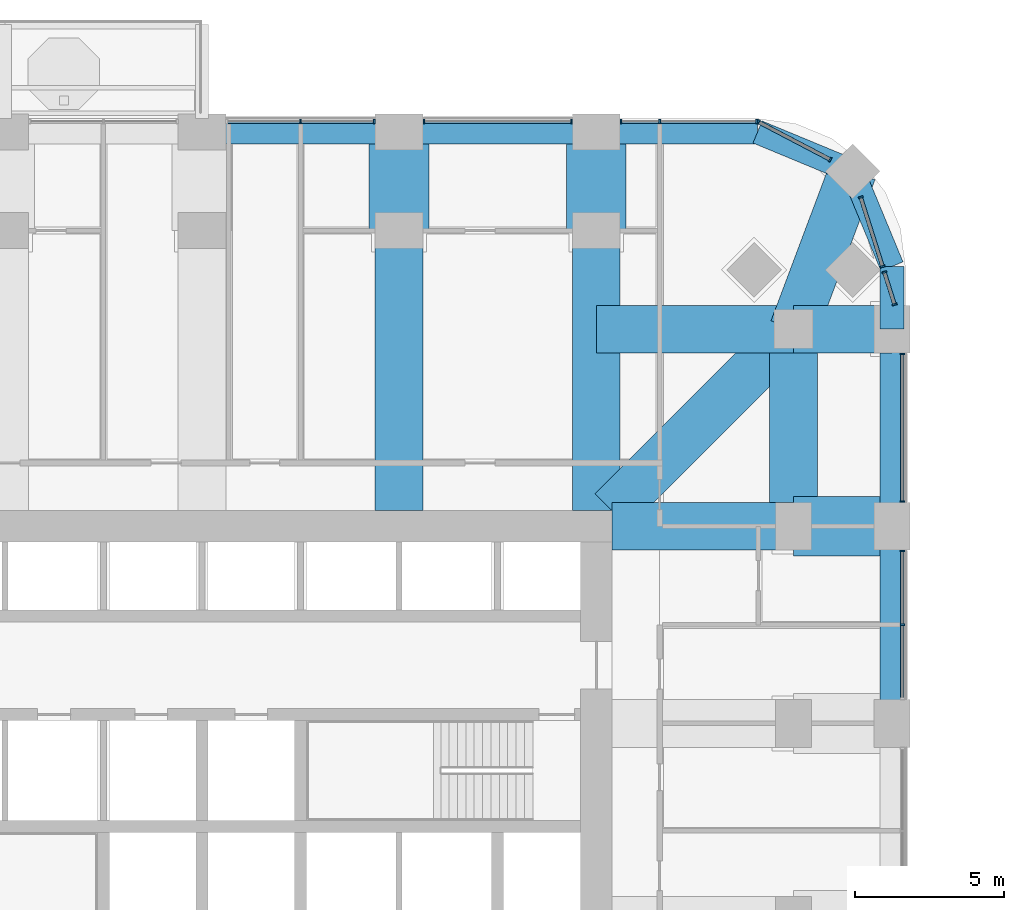
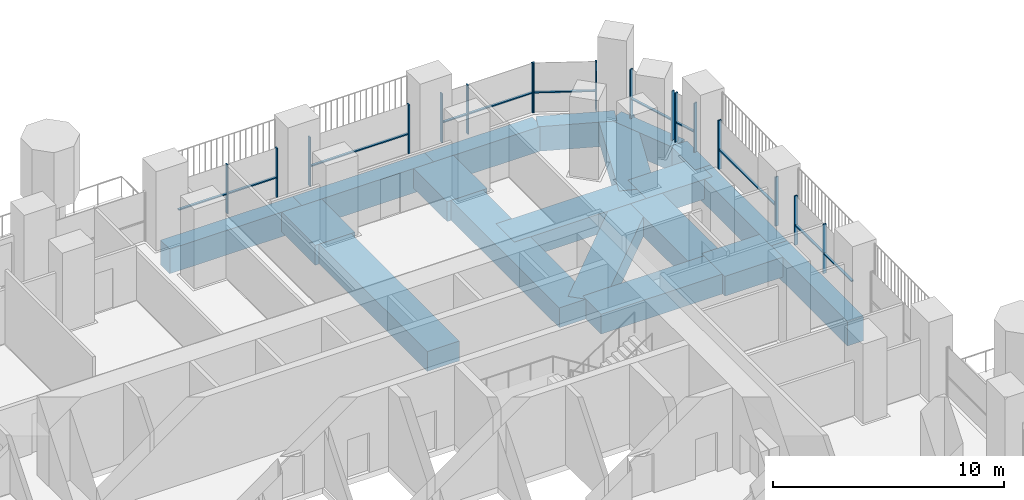
# One storey, part 7 of 21: 28 members, 19 beams, 8 elements without a shape of their own.
"""IFC4 building model written with IfcOpenShell, lengths in metres."""

from ifc_helpers import new_model, si_unit, direction, frame, origin, origin_2d, place, context, subcontext, project, spatial, rectangle, extrude, material, material_profile, profile_set, type_object, element, aggregate, save


model = new_model("IFC4")

# Units and contexts
model_context = context("Model", 3, precision=1e-05, world=origin(), true_north=direction((0.0, 1.0)))
body_context = subcontext(model_context, "Body", "Model", "MODEL_VIEW")
ifc_project = project(units=[si_unit("LENGTHUNIT", "METRE"), si_unit("AREAUNIT", "SQUARE_METRE"), si_unit("VOLUMEUNIT", "CUBIC_METRE"), si_unit("PLANEANGLEUNIT", "RADIAN"), si_unit("MASSUNIT", "GRAM", prefix="KILO")], contexts=[model_context])

# Site, building, storey
site_placement = place(None, origin())
site = spatial("IfcSite", under=ifc_project, at=site_placement, CompositionType="ELEMENT")
building_placement = place(site_placement, origin())
building = spatial("IfcBuilding", under=site, at=building_placement, Name="Cobogo Forest Laboratory Tower", CompositionType="ELEMENT")
storey_placement = place(building_placement, frame((0.0, 0.0, 141.0)))
storey = spatial("IfcBuildingStorey", under=building, at=storey_placement, Name="L32", CompositionType="ELEMENT", Elevation=141.0)

# Beams
ifc_material_1 = material(Name="Concrete HA-50 (C50/60)", Category="concrete")
ifc_material_profile_1 = material_profile(ifc_material_1, rectangle(XDim=2.0, YDim=1.050048828125, at=origin_2d()), Name="RC 2000x1050")
ifc_profile_set_1 = profile_set([ifc_material_profile_1], Name="Concrete HA-50 (C50/60)")
beam_type_1 = type_object("IfcBeamType", Name="End-bay wide beam 2000x1050", PredefinedType="BEAM", material=ifc_profile_set_1)
for number, where, z_axis, x_axis, name in (
    (1, (33.0, 46.199951171875, -0.824951171875), (0.0, -1.0, 0.0), (1.0, 0.0, 0.0), "RB7 R-6-N-X L32"),
    (2, (39.60009765625, 46.199951171875, -0.824951171875), (0.0, -1.0, 0.0), (1.0, 0.0, 0.0), "RB7 R-7-N-X L32"),
    (3, (49.5, 33.0, -0.824951171875), (-1.0, 0.0, 0.0), (0.0, -1.0, 0.0), "RB7 R-F-E-X L32"),
):
    element("IfcBeam", number, at=place(storey_placement, frame(where, z_axis=z_axis, x_axis=x_axis)), inside=storey, type_object=beam_type_1, Name=name, PredefinedType="BEAM", context=body_context, shape_type="SweptSolid", body=[
        extrude(rectangle(XDim=2.0, YDim=1.050048828125, at=origin_2d()), origin(), (0.0, 0.0, 1.0), 3.300048828125),
    ])
ifc_material_profile_2 = material_profile(ifc_material_1, rectangle(XDim=1.60009765625, YDim=1.050048828125, at=origin_2d()), Name="RC 1600x1050")
ifc_profile_set_2 = profile_set([ifc_material_profile_2], Name="Concrete HA-50 (C50/60)")
beam_type_2 = type_object("IfcBeamType", Name="Laboratory floor wide beam 1600x1050", PredefinedType="BEAM", material=ifc_profile_set_2)
for number, where, z_axis, x_axis, name in (
    (4, (33.0, 33.52490234375, -0.824951171875), (0.0, 1.0, 0.0), (-1.0, 0.0, 0.0), "RB8 R-6-N L32"),
    (5, (39.60009765625, 33.52490234375, -0.824951171875), (0.0, 1.0, 0.0), (-1.0, 0.0, 0.0), "RB8 R-7-N L32"),
):
    element("IfcBeam", number, at=place(storey_placement, frame(where, z_axis=z_axis, x_axis=x_axis)), inside=storey, type_object=beam_type_2, Name=name, PredefinedType="BEAM", context=body_context, shape_type="SweptSolid", body=[
        extrude(rectangle(XDim=1.60009765625, YDim=1.050048828125, at=origin_2d()), origin(), (0.0, 0.0, 1.0), 9.375),
    ])
beam_1_placement = place(storey_placement, frame((40.125, 33.0, -0.824951171875), z_axis=(1.0, 0.0, 0.0), x_axis=(0.0, 1.0, 0.0)))
element("IfcBeam", 6, at=beam_1_placement, inside=storey, type_object=beam_type_2, Name="RB8 R-F-E L32", PredefinedType="BEAM", context=body_context, shape_type="SweptSolid", body=[
    extrude(rectangle(XDim=1.60009765625, YDim=1.050048828125, at=origin_2d()), origin(), (0.0, 0.0, 1.0), 6.074951171875),
])
beam_2_placement = place(storey_placement, frame((46.199951171875, 39.60009765625, -0.824951171875), z_axis=(0.0, -1.0, 0.0), x_axis=(1.0, 0.0, 0.0)))
element("IfcBeam", 7, at=beam_2_placement, inside=storey, type_object=beam_type_2, Name="RB8 G-NE-XC L32", PredefinedType="BEAM", context=body_context, shape_type="SweptSolid", body=[
    extrude(rectangle(XDim=1.60009765625, YDim=1.050048828125, at=origin_2d()), origin(), (0.0, 0.0, 1.0), 6.60009765625),
])
beam_3_placement = place(storey_placement, frame((49.5, 39.60009765625, -0.824951171875), z_axis=(-1.0, 0.0, 0.0), x_axis=(0.0, -1.0, 0.0)))
element("IfcBeam", 8, at=beam_3_placement, inside=storey, type_object=beam_type_2, Name="RB8 G-NE-YF L32", PredefinedType="BEAM", context=body_context, shape_type="SweptSolid", body=[
    extrude(rectangle(XDim=1.60009765625, YDim=1.050048828125, at=origin_2d()), origin(), (0.0, 0.0, 1.0), 3.300048828125),
])
beam_4_placement = place(storey_placement, frame((46.199951171875, 39.60009765625, -0.824951171875), z_axis=(-1.0, 0.0, 0.0), x_axis=(0.0, -1.0, 0.0)))
element("IfcBeam", 9, at=beam_4_placement, inside=storey, type_object=beam_type_2, Name="RB8 G-NE-YC L32", PredefinedType="BEAM", context=body_context, shape_type="SweptSolid", body=[
    extrude(rectangle(XDim=1.60009765625, YDim=1.050048828125, at=origin_2d()), origin(), (0.0, 0.0, 1.0), 6.599853515625),
])
beam_5_placement = place(storey_placement, frame((48.181884765625, 44.882080078125, -0.824951171875), z_axis=(-0.351308391925, -0.936259800356, 0.0), x_axis=(0.936259800356, -0.351308391925, 0.0)))
element("IfcBeam", 10, at=beam_5_placement, inside=storey, type_object=beam_type_2, Name="RB8 G-NE-D1 L32", PredefinedType="BEAM", context=body_context, shape_type="SweptSolid", body=[
    extrude(rectangle(XDim=1.60009765625, YDim=1.050048828125, at=origin_2d()), origin(), (0.0, 0.0, 1.0), 5.6416015625),
])
beam_6_placement = place(storey_placement, frame((46.199951171875, 39.60009765625, -0.824951171875), z_axis=(-0.707092572697, -0.70712098939, 0.0), x_axis=(0.70712098939, -0.707092572697, 0.0)))
element("IfcBeam", 11, at=beam_6_placement, inside=storey, type_object=beam_type_2, Name="RB8 G-NE-D2 L32", PredefinedType="BEAM", context=body_context, shape_type="SweptSolid", body=[
    extrude(rectangle(XDim=1.60009765625, YDim=1.050048828125, at=origin_2d()), origin(), (0.0, 0.0, 1.0), 8.591552734375),
])

# Curtain wall, members
ifc_material_2 = material(Name="Aluminium curtain wall", Category="aluminium")
curtain_wall_type = type_object("IfcCurtainWallType", Name="CW-1 unitised curtain wall, clear glazing, laboratory floors zones A and B", PredefinedType="USERDEFINED", material=ifc_material_2)
curtain_wall_1_placement = place(storey_placement, origin())
curtain_wall_1 = element("IfcCurtainWall", 12, at=curtain_wall_1_placement, inside=storey, type_object=curtain_wall_type, Name="Curtain wall 13 L32", ObjectType="UNITISED CURTAIN WALL", PredefinedType="USERDEFINED")
ifc_material_3 = material(Name="Aluminium mullion", Category="aluminium")
ifc_material_profile_3 = material_profile(ifc_material_3, rectangle(XDim=0.06005859375, YDim=0.159912109375, at=origin_2d()), Name="AL 60x160")
ifc_profile_set_3 = profile_set([ifc_material_profile_3], Name="Aluminium mullion")
member_type_1 = type_object("IfcMemberType", Name="MU-1 aluminium mullion 60x160", PredefinedType="MULLION", material=ifc_profile_set_3)
member_1_placement = place(storey_placement, frame((49.85009765625, 29.699951171875, 0.0), z_axis=(0.0, 0.0, 1.0), x_axis=(0.0, 1.0, 0.0)))
member_1 = element("IfcMember", 13, at=member_1_placement, type_object=member_type_1, Name="CW-1 mullion 2", PredefinedType="MULLION", context=body_context, shape_type="SweptSolid", body=[
    extrude(rectangle(XDim=0.06005859375, YDim=0.159912109375, at=origin_2d()), origin(), (0.0, 0.0, 1.0), 2.60009765625),
])
member_2_placement = place(storey_placement, frame((49.85009765625, 32.169921875, 0.0), z_axis=(0.0, 0.0, 1.0), x_axis=(0.0, 1.0, 0.0)))
member_2 = element("IfcMember", 14, at=member_2_placement, type_object=member_type_1, Name="CW-1 mullion 3", PredefinedType="MULLION", context=body_context, shape_type="SweptSolid", body=[
    extrude(rectangle(XDim=0.06005859375, YDim=0.159912109375, at=origin_2d()), origin(), (0.0, 0.0, 1.0), 2.60009765625),
])

curtain_wall_2_placement = place(storey_placement, origin())
curtain_wall_2 = element("IfcCurtainWall", 15, at=curtain_wall_2_placement, inside=storey, type_object=curtain_wall_type, Name="Curtain wall 14 L32", ObjectType="UNITISED CURTAIN WALL", PredefinedType="USERDEFINED")
member_3_placement = place(storey_placement, frame((49.85009765625, 33.830078125, 0.0), z_axis=(0.0, 0.0, 1.0), x_axis=(0.0, 1.0, 0.0)))
member_3 = element("IfcMember", 16, at=member_3_placement, type_object=member_type_1, Name="CW-1 mullion 1", PredefinedType="MULLION", context=body_context, shape_type="SweptSolid", body=[
    extrude(rectangle(XDim=0.06005859375, YDim=0.159912109375, at=origin_2d()), origin(), (0.0, 0.0, 1.0), 2.60009765625),
])
member_4_placement = place(storey_placement, frame((49.85009765625, 38.77001953125, 0.0), z_axis=(0.0, 0.0, 1.0), x_axis=(0.0, 1.0, 0.0)))
member_4 = element("IfcMember", 17, at=member_4_placement, type_object=member_type_1, Name="CW-1 mullion 2", PredefinedType="MULLION", context=body_context, shape_type="SweptSolid", body=[
    extrude(rectangle(XDim=0.06005859375, YDim=0.159912109375, at=origin_2d()), origin(), (0.0, 0.0, 1.0), 2.60009765625),
])

curtain_wall_3_placement = place(storey_placement, origin())
curtain_wall_3 = element("IfcCurtainWall", 18, at=curtain_wall_3_placement, inside=storey, type_object=curtain_wall_type, Name="Curtain wall 15 L32", ObjectType="UNITISED CURTAIN WALL", PredefinedType="USERDEFINED")
member_5_placement = place(storey_placement, frame((49.58837890625, 40.4287109375, 0.0), z_axis=(0.0, 0.0, 1.0), x_axis=(-0.301135667865, 0.953581307252, 0.0)))
member_5 = element("IfcMember", 19, at=member_5_placement, type_object=member_type_1, Name="CW-1 mullion 1", PredefinedType="MULLION", context=body_context, shape_type="SweptSolid", body=[
    extrude(rectangle(XDim=0.06005859375, YDim=0.159912109375, at=origin_2d()), origin(), (0.0, 0.0, 1.0), 2.60009765625),
])
member_6_placement = place(storey_placement, frame((49.247802734375, 41.507080078125, 0.0), z_axis=(0.0, 0.0, 1.0), x_axis=(-0.301135667865, 0.953581307252, 0.0)))
member_6 = element("IfcMember", 20, at=member_6_placement, type_object=member_type_1, Name="CW-1 mullion 2", PredefinedType="MULLION", context=body_context, shape_type="SweptSolid", body=[
    extrude(rectangle(XDim=0.06005859375, YDim=0.159912109375, at=origin_2d()), origin(), (0.0, 0.0, 1.0), 2.60009765625),
])

curtain_wall_4_placement = place(storey_placement, origin())
curtain_wall_4 = element("IfcCurtainWall", 21, at=curtain_wall_4_placement, inside=storey, type_object=curtain_wall_type, Name="Curtain wall 16 L32", ObjectType="UNITISED CURTAIN WALL", PredefinedType="USERDEFINED")
member_7_placement = place(storey_placement, frame((49.18701171875, 41.69970703125, 0.0), z_axis=(0.0, 0.0, 1.0), x_axis=(-0.301135291996, 0.953581425949, 0.0)))
member_7 = element("IfcMember", 22, at=member_7_placement, type_object=member_type_1, Name="CW-1 mullion 1", PredefinedType="MULLION", context=body_context, shape_type="SweptSolid", body=[
    extrude(rectangle(XDim=0.06005859375, YDim=0.159912109375, at=origin_2d()), origin(), (0.0, 0.0, 1.0), 2.60009765625),
])
member_8_placement = place(storey_placement, frame((48.455810546875, 44.01513671875, 0.0), z_axis=(0.0, 0.0, 1.0), x_axis=(-0.301135291996, 0.953581425949, 0.0)))
member_8 = element("IfcMember", 23, at=member_8_placement, type_object=member_type_1, Name="CW-1 mullion 2", PredefinedType="MULLION", context=body_context, shape_type="SweptSolid", body=[
    extrude(rectangle(XDim=0.06005859375, YDim=0.159912109375, at=origin_2d()), origin(), (0.0, 0.0, 1.0), 2.60009765625),
])

curtain_wall_5_placement = place(storey_placement, origin())
curtain_wall_5 = element("IfcCurtainWall", 24, at=curtain_wall_5_placement, inside=storey, type_object=curtain_wall_type, Name="Curtain wall 17 L32", ObjectType="UNITISED CURTAIN WALL", PredefinedType="USERDEFINED")
member_9_placement = place(storey_placement, frame((47.431640625, 45.275390625, 0.0), z_axis=(0.0, 0.0, 1.0), x_axis=(-0.885686547075, 0.464283685186, 0.0)))
member_9 = element("IfcMember", 25, at=member_9_placement, type_object=member_type_1, Name="CW-1 mullion 1", PredefinedType="MULLION", context=body_context, shape_type="SweptSolid", body=[
    extrude(rectangle(XDim=0.06005859375, YDim=0.159912109375, at=origin_2d()), origin(), (0.0, 0.0, 1.0), 2.60009765625),
])
member_10_placement = place(storey_placement, frame((45.026611328125, 46.5361328125, 0.0), z_axis=(0.0, 0.0, 1.0), x_axis=(-0.885686547075, 0.464283685186, 0.0)))
member_10 = element("IfcMember", 26, at=member_10_placement, type_object=member_type_1, Name="CW-1 mullion 2", PredefinedType="MULLION", context=body_context, shape_type="SweptSolid", body=[
    extrude(rectangle(XDim=0.06005859375, YDim=0.159912109375, at=origin_2d()), origin(), (0.0, 0.0, 1.0), 2.60009765625),
])

curtain_wall_6_placement = place(storey_placement, origin())
curtain_wall_6 = element("IfcCurtainWall", 27, at=curtain_wall_6_placement, inside=storey, type_object=curtain_wall_type, Name="Curtain wall 18 L32", ObjectType="UNITISED CURTAIN WALL", PredefinedType="USERDEFINED")
member_11_placement = place(storey_placement, frame((44.969970703125, 46.550048828125, 0.0), z_axis=(0.0, 0.0, 1.0), x_axis=(-1.0, 0.0, 0.0)))
member_11 = element("IfcMember", 28, at=member_11_placement, type_object=member_type_1, Name="CW-1 mullion 1", PredefinedType="MULLION", context=body_context, shape_type="SweptSolid", body=[
    extrude(rectangle(XDim=0.06005859375, YDim=0.159912109375, at=origin_2d()), origin(), (0.0, 0.0, 1.0), 2.60009765625),
])
member_12_placement = place(storey_placement, frame((41.72509765625, 46.550048828125, 0.0), z_axis=(0.0, 0.0, 1.0), x_axis=(-1.0, 0.0, 0.0)))
member_12 = element("IfcMember", 29, at=member_12_placement, type_object=member_type_1, Name="CW-1 mullion 2", PredefinedType="MULLION", context=body_context, shape_type="SweptSolid", body=[
    extrude(rectangle(XDim=0.06005859375, YDim=0.159912109375, at=origin_2d()), origin(), (0.0, 0.0, 1.0), 2.60009765625),
])
member_13_placement = place(storey_placement, frame((40.429931640625, 46.550048828125, 0.0), z_axis=(0.0, 0.0, 1.0), x_axis=(-1.0, 0.0, 0.0)))
member_13 = element("IfcMember", 30, at=member_13_placement, type_object=member_type_1, Name="CW-1 mullion 3", PredefinedType="MULLION", context=body_context, shape_type="SweptSolid", body=[
    extrude(rectangle(XDim=0.06005859375, YDim=0.159912109375, at=origin_2d()), origin(), (0.0, 0.0, 1.0), 2.60009765625),
])

curtain_wall_7_placement = place(storey_placement, origin())
curtain_wall_7 = element("IfcCurtainWall", 31, at=curtain_wall_7_placement, inside=storey, type_object=curtain_wall_type, Name="Curtain wall 19 L32", ObjectType="UNITISED CURTAIN WALL", PredefinedType="USERDEFINED")
member_14_placement = place(storey_placement, frame((38.77001953125, 46.550048828125, 0.0), z_axis=(0.0, 0.0, 1.0), x_axis=(-1.0, 0.0, 0.0)))
member_14 = element("IfcMember", 32, at=member_14_placement, type_object=member_type_1, Name="CW-1 mullion 1", PredefinedType="MULLION", context=body_context, shape_type="SweptSolid", body=[
    extrude(rectangle(XDim=0.06005859375, YDim=0.159912109375, at=origin_2d()), origin(), (0.0, 0.0, 1.0), 2.60009765625),
])
member_15_placement = place(storey_placement, frame((33.830078125, 46.550048828125, 0.0), z_axis=(0.0, 0.0, 1.0), x_axis=(-1.0, 0.0, 0.0)))
member_15 = element("IfcMember", 33, at=member_15_placement, type_object=member_type_1, Name="CW-1 mullion 2", PredefinedType="MULLION", context=body_context, shape_type="SweptSolid", body=[
    extrude(rectangle(XDim=0.06005859375, YDim=0.159912109375, at=origin_2d()), origin(), (0.0, 0.0, 1.0), 2.60009765625),
])

curtain_wall_8_placement = place(storey_placement, origin())
curtain_wall_8 = element("IfcCurtainWall", 34, at=curtain_wall_8_placement, inside=storey, type_object=curtain_wall_type, Name="Curtain wall 20 L32", ObjectType="UNITISED CURTAIN WALL", PredefinedType="USERDEFINED")
member_16_placement = place(storey_placement, frame((32.169921875, 46.550048828125, 0.0), z_axis=(0.0, 0.0, 1.0), x_axis=(-1.0, 0.0, 0.0)))
member_16 = element("IfcMember", 35, at=member_16_placement, type_object=member_type_1, Name="CW-1 mullion 1", PredefinedType="MULLION", context=body_context, shape_type="SweptSolid", body=[
    extrude(rectangle(XDim=0.06005859375, YDim=0.159912109375, at=origin_2d()), origin(), (0.0, 0.0, 1.0), 2.60009765625),
])
member_17_placement = place(storey_placement, frame((29.699951171875, 46.550048828125, 0.0), z_axis=(0.0, 0.0, 1.0), x_axis=(-1.0, 0.0, 0.0)))
member_17 = element("IfcMember", 36, at=member_17_placement, type_object=member_type_1, Name="CW-1 mullion 2", PredefinedType="MULLION", context=body_context, shape_type="SweptSolid", body=[
    extrude(rectangle(XDim=0.06005859375, YDim=0.159912109375, at=origin_2d()), origin(), (0.0, 0.0, 1.0), 2.60009765625),
])

# Beams
ifc_material_4 = material(Name="Concrete HA-40 (C40/50)", Category="concrete")
ifc_material_profile_4 = material_profile(ifc_material_4, rectangle(XDim=0.800048828125, YDim=1.300048828125, at=origin_2d()), Name="RC 800x1300")
ifc_profile_set_4 = profile_set([ifc_material_profile_4], Name="Concrete HA-40 (C40/50)")
beam_type_3 = type_object("IfcBeamType", Name="Perimeter edge beam 800x1300", PredefinedType="BEAM", material=ifc_profile_set_4)
for number, where, z_axis, x_axis, name in (
    (37, (49.5, 26.39990234375, -0.949951171875), (0.0, 1.0, 0.0), (-1.0, 0.0, 0.0), "EB2 E-E4 L32"),
    (38, (49.5, 33.0, -0.949951171875), (0.0, 1.0, 0.0), (-1.0, 0.0, 0.0), "EB2 E-E5 L32"),
    (39, (26.39990234375, 46.199951171875, -0.949951171875), (1.0, 0.0, 0.0), (0.0, 1.0, 0.0), "EB2 E-N3 L32"),
    (40, (33.0, 46.199951171875, -0.949951171875), (1.0, 0.0, 0.0), (0.0, 1.0, 0.0), "EB2 E-N4 L32"),
):
    element("IfcBeam", number, at=place(storey_placement, frame(where, z_axis=z_axis, x_axis=x_axis)), inside=storey, type_object=beam_type_3, Name=name, PredefinedType="BEAM", context=body_context, shape_type="SweptSolid", body=[
        extrude(rectangle(XDim=0.800048828125, YDim=1.300048828125, at=origin_2d()), origin(), (0.0, 0.0, 1.0), 6.60009765625),
    ])
beam_7_placement = place(storey_placement, frame((49.5, 39.60009765625, -0.949951171875), z_axis=(0.0, 1.0, 0.0), x_axis=(-1.0, 0.0, 0.0)))
element("IfcBeam", 41, at=beam_7_placement, inside=storey, type_object=beam_type_3, Name="EB2 E-NEE1 L32", PredefinedType="BEAM", context=body_context, shape_type="SweptSolid", body=[
    extrude(rectangle(XDim=0.800048828125, YDim=1.300048828125, at=origin_2d()), origin(), (0.0, 0.0, 1.0), 2.099853515625),
])
beam_8_placement = place(storey_placement, frame((49.5, 41.699951171875, -0.949951171875), z_axis=(-0.382691928466, 0.923876013265, 0.0), x_axis=(-0.923876013265, -0.382691928466, 0.0)))
element("IfcBeam", 42, at=beam_8_placement, inside=storey, type_object=beam_type_3, Name="EB2 E-NEE2 L32", PredefinedType="BEAM", context=body_context, shape_type="SweptSolid", body=[
    extrude(rectangle(XDim=0.800048828125, YDim=1.300048828125, at=origin_2d()), origin(), (0.0, 0.0, 1.0), 3.4443359375),
])
beam_9_placement = place(storey_placement, frame((39.60009765625, 46.199951171875, -0.949951171875), z_axis=(1.0, 0.0, 0.0), x_axis=(0.0, 1.0, 0.0)))
element("IfcBeam", 43, at=beam_9_placement, inside=storey, type_object=beam_type_3, Name="EB2 E-NEN1 L32", PredefinedType="BEAM", context=body_context, shape_type="SweptSolid", body=[
    extrude(rectangle(XDim=0.800048828125, YDim=1.300048828125, at=origin_2d()), origin(), (0.0, 0.0, 1.0), 5.39990234375),
])
beam_10_placement = place(storey_placement, frame((45.0, 46.199951171875, -0.949951171875), z_axis=(0.923890694089, -0.382656484822, 0.0), x_axis=(0.382656484822, 0.923890694089, 0.0)))
element("IfcBeam", 44, at=beam_10_placement, inside=storey, type_object=beam_type_3, Name="EB2 E-NEN2 L32", PredefinedType="BEAM", context=body_context, shape_type="SweptSolid", body=[
    extrude(rectangle(XDim=0.800048828125, YDim=1.300048828125, at=origin_2d()), origin(), (0.0, 0.0, 1.0), 3.444091796875),
])

# Member
ifc_material_5 = material(Name="Aluminium transom", Category="aluminium")
ifc_material_profile_5 = material_profile(ifc_material_5, rectangle(XDim=0.1201171875, YDim=0.06005859375, at=origin_2d()), Name="AL 60x120")
ifc_profile_set_5 = profile_set([ifc_material_profile_5], Name="Aluminium transom")
member_type_2 = type_object("IfcMemberType", Name="TR-1 aluminium transom 60x120", PredefinedType="USERDEFINED", material=ifc_profile_set_5)
member_18_placement = place(storey_placement, frame((49.85009765625, 27.260009765625, 1.050048828125), z_axis=(0.0, 1.0, 0.0), x_axis=(-1.0, 0.0, 0.0)))
member_18 = element("IfcMember", 45, at=member_18_placement, type_object=member_type_2, Name="CW-1 transom 1.1", ObjectType="TRANSOM", PredefinedType="USERDEFINED", context=body_context, shape_type="SweptSolid", body=[
    extrude(rectangle(XDim=0.1201171875, YDim=0.06005859375, at=origin_2d()), origin(), (0.0, 0.0, 1.0), 2.409912109375),
])

member_19_placement = place(storey_placement, frame((49.85009765625, 29.72998046875, 1.050048828125), z_axis=(0.0, 1.0, 0.0), x_axis=(-1.0, 0.0, 0.0)))
member_19 = element("IfcMember", 46, at=member_19_placement, type_object=member_type_2, Name="CW-1 transom 2.1", ObjectType="TRANSOM", PredefinedType="USERDEFINED", context=body_context, shape_type="SweptSolid", body=[
    extrude(rectangle(XDim=0.1201171875, YDim=0.06005859375, at=origin_2d()), origin(), (0.0, 0.0, 1.0), 2.409912109375),
])

aggregate(curtain_wall_1, [member_1, member_2, member_18, member_19])

member_20_placement = place(storey_placement, frame((49.85009765625, 33.860107421875, 1.050048828125), z_axis=(0.0, 1.0, 0.0), x_axis=(-1.0, 0.0, 0.0)))
member_20 = element("IfcMember", 47, at=member_20_placement, type_object=member_type_2, Name="CW-1 transom 1.1", ObjectType="TRANSOM", PredefinedType="USERDEFINED", context=body_context, shape_type="SweptSolid", body=[
    extrude(rectangle(XDim=0.1201171875, YDim=0.06005859375, at=origin_2d()), origin(), (0.0, 0.0, 1.0), 4.8798828125),
])

aggregate(curtain_wall_2, [member_3, member_4, member_20])

member_21_placement = place(storey_placement, frame((49.579345703125, 40.457275390625, 1.050048828125), z_axis=(-0.3011422781, 0.953579219751, 0.0), x_axis=(-0.953579219751, -0.3011422781, 0.0)))
member_21 = element("IfcMember", 48, at=member_21_placement, type_object=member_type_2, Name="CW-1 transom 1.1", ObjectType="TRANSOM", PredefinedType="USERDEFINED", context=body_context, shape_type="SweptSolid", body=[
    extrude(rectangle(XDim=0.1201171875, YDim=0.06005859375, at=origin_2d()), origin(), (0.0, 0.0, 1.0), 1.071044921875),
])

aggregate(curtain_wall_3, [member_5, member_6, member_21])

member_22_placement = place(storey_placement, frame((49.177978515625, 41.728271484375, 1.050048828125), z_axis=(-0.301156039198, 0.953574873859, 0.0), x_axis=(-0.953574873859, -0.301156039198, 0.0)))
member_22 = element("IfcMember", 49, at=member_22_placement, type_object=member_type_2, Name="CW-1 transom 1.1", ObjectType="TRANSOM", PredefinedType="USERDEFINED", context=body_context, shape_type="SweptSolid", body=[
    extrude(rectangle(XDim=0.1201171875, YDim=0.06005859375, at=origin_2d()), origin(), (0.0, 0.0, 1.0), 2.367919921875),
])

aggregate(curtain_wall_4, [member_7, member_8, member_22])

member_23_placement = place(storey_placement, frame((47.405029296875, 45.289306640625, 1.050048828125), z_axis=(-0.885674922116, 0.464305860758, 0.0), x_axis=(-0.464305860758, -0.885674922116, 0.0)))
member_23 = element("IfcMember", 50, at=member_23_placement, type_object=member_type_2, Name="CW-1 transom 1.1", ObjectType="TRANSOM", PredefinedType="USERDEFINED", context=body_context, shape_type="SweptSolid", body=[
    extrude(rectangle(XDim=0.1201171875, YDim=0.06005859375, at=origin_2d()), origin(), (0.0, 0.0, 1.0), 2.6552734375),
])

aggregate(curtain_wall_5, [member_9, member_10, member_23])

member_24_placement = place(storey_placement, frame((44.93994140625, 46.550048828125, 1.050048828125), z_axis=(-1.0, 0.0, 0.0), x_axis=(0.0, -1.0, 0.0)))
member_24 = element("IfcMember", 51, at=member_24_placement, type_object=member_type_2, Name="CW-1 transom 1.1", ObjectType="TRANSOM", PredefinedType="USERDEFINED", context=body_context, shape_type="SweptSolid", body=[
    extrude(rectangle(XDim=0.1201171875, YDim=0.06005859375, at=origin_2d()), origin(), (0.0, 0.0, 1.0), 3.18505859375),
])

member_25_placement = place(storey_placement, frame((41.695068359375, 46.550048828125, 1.050048828125), z_axis=(-1.0, 0.0, 0.0), x_axis=(0.0, -1.0, 0.0)))
member_25 = element("IfcMember", 52, at=member_25_placement, type_object=member_type_2, Name="CW-1 transom 2.1", ObjectType="TRANSOM", PredefinedType="USERDEFINED", context=body_context, shape_type="SweptSolid", body=[
    extrude(rectangle(XDim=0.1201171875, YDim=0.06005859375, at=origin_2d()), origin(), (0.0, 0.0, 1.0), 1.235107421875),
])

aggregate(curtain_wall_6, [member_11, member_12, member_13, member_24, member_25])

member_26_placement = place(storey_placement, frame((38.739990234375, 46.550048828125, 1.050048828125), z_axis=(-1.0, 0.0, 0.0), x_axis=(0.0, -1.0, 0.0)))
member_26 = element("IfcMember", 53, at=member_26_placement, type_object=member_type_2, Name="CW-1 transom 1.1", ObjectType="TRANSOM", PredefinedType="USERDEFINED", context=body_context, shape_type="SweptSolid", body=[
    extrude(rectangle(XDim=0.1201171875, YDim=0.06005859375, at=origin_2d()), origin(), (0.0, 0.0, 1.0), 4.8798828125),
])

aggregate(curtain_wall_7, [member_14, member_15, member_26])

member_27_placement = place(storey_placement, frame((32.139892578125, 46.550048828125, 1.050048828125), z_axis=(-1.0, 0.0, 0.0), x_axis=(0.0, -1.0, 0.0)))
member_27 = element("IfcMember", 54, at=member_27_placement, type_object=member_type_2, Name="CW-1 transom 1.1", ObjectType="TRANSOM", PredefinedType="USERDEFINED", context=body_context, shape_type="SweptSolid", body=[
    extrude(rectangle(XDim=0.1201171875, YDim=0.06005859375, at=origin_2d()), origin(), (0.0, 0.0, 1.0), 2.409912109375),
])

member_28_placement = place(storey_placement, frame((29.669921875, 46.550048828125, 1.050048828125), z_axis=(-1.0, 0.0, 0.0), x_axis=(0.0, -1.0, 0.0)))
member_28 = element("IfcMember", 55, at=member_28_placement, type_object=member_type_2, Name="CW-1 transom 2.1", ObjectType="TRANSOM", PredefinedType="USERDEFINED", context=body_context, shape_type="SweptSolid", body=[
    extrude(rectangle(XDim=0.1201171875, YDim=0.06005859375, at=origin_2d()), origin(), (0.0, 0.0, 1.0), 2.409912109375),
])

aggregate(curtain_wall_8, [member_16, member_17, member_27, member_28])

save(model, "model.ifc")
